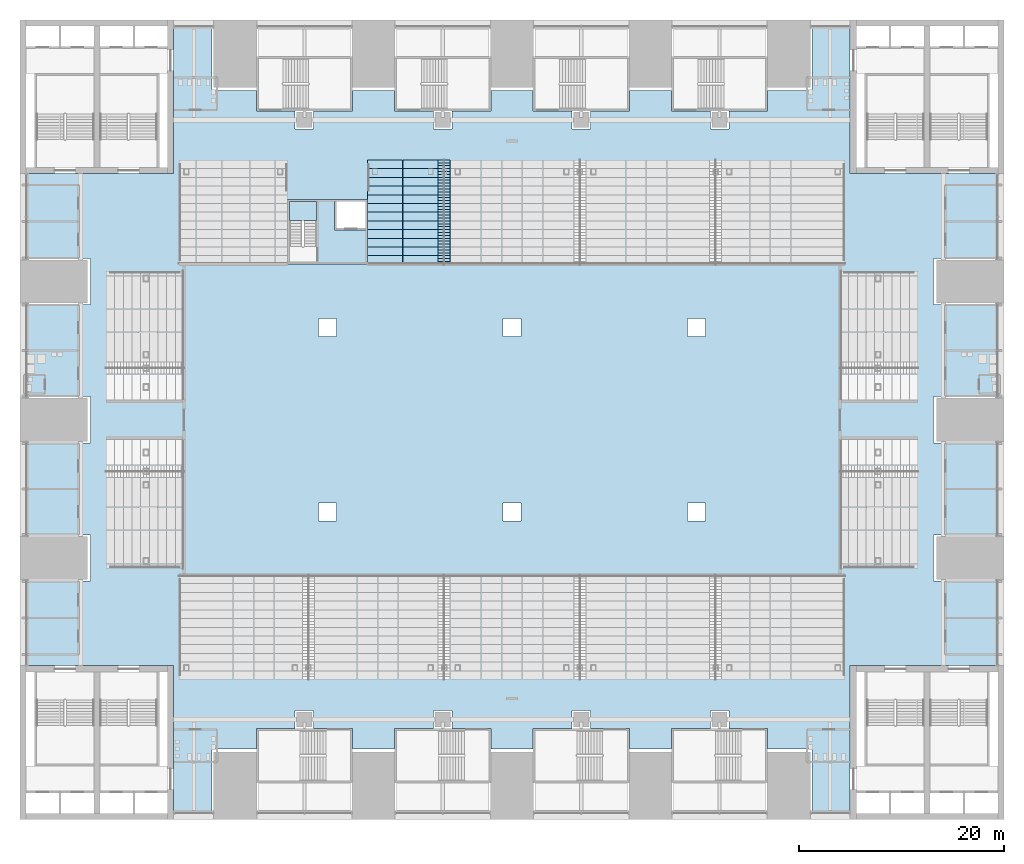
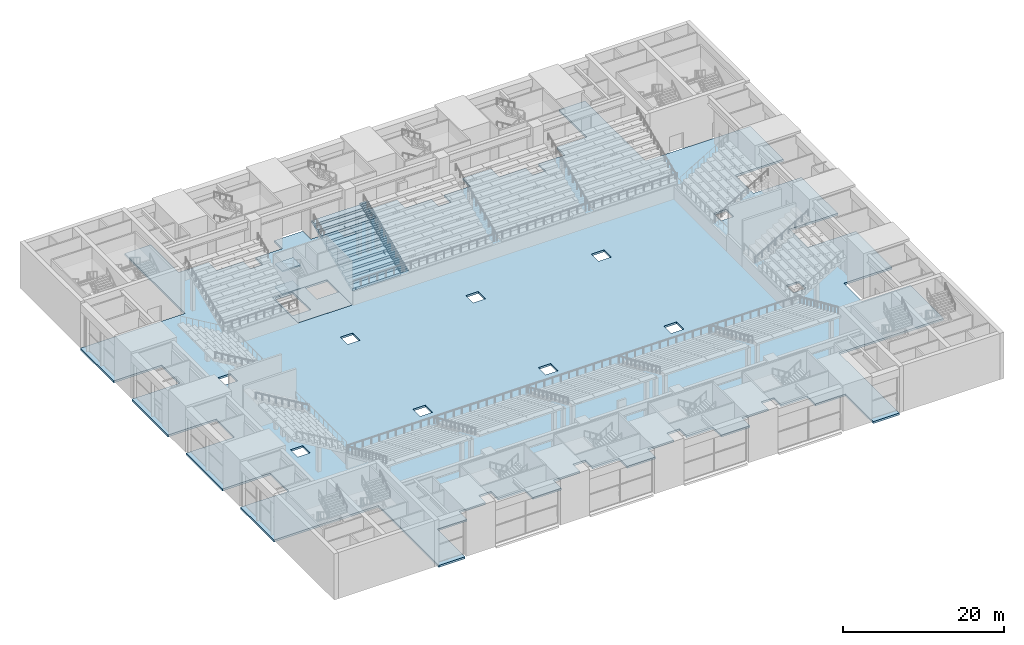
# One storey, part 24 of 62: 6 slabs, 1 element without a shape of its own.
"""IFC4 building model written with IfcOpenShell, lengths in metres."""

from ifc_helpers import new_model, si_unit, direction, frame, origin, place, context, subcontext, project, spatial, polyline, outline, extrude, material, layer, layer_set, type_object, element, aggregate, save


model = new_model("IFC4")

# Units and contexts
model_context = context("Model", 3, precision=1e-05, world=origin(), true_north=direction((0.0, 1.0)))
body_context = subcontext(model_context, "Body", "Model", "MODEL_VIEW")
ifc_project = project(units=[si_unit("LENGTHUNIT", "METRE"), si_unit("AREAUNIT", "SQUARE_METRE"), si_unit("VOLUMEUNIT", "CUBIC_METRE"), si_unit("PLANEANGLEUNIT", "RADIAN"), si_unit("MASSUNIT", "GRAM", prefix="KILO")], contexts=[model_context])

# Site, building, storey
site_placement = place(None, origin())
site = spatial("IfcSite", under=ifc_project, at=site_placement, CompositionType="ELEMENT")
building_placement = place(site_placement, origin())
building = spatial("IfcBuilding", under=site, at=building_placement, Name="Corbelhall Arena Tower", CompositionType="ELEMENT")
storey_placement = place(building_placement, frame((0.0, 0.0, 12.0)))
storey = spatial("IfcBuildingStorey", under=building, at=storey_placement, Name="L01", CompositionType="ELEMENT", Elevation=12.0)

# Slabs
ifc_material_1 = material(Name="Precast concrete C40/50", Category="concrete")
ifc_layer_1 = layer(ifc_material_1, 0.25)
ifc_layer_set_1 = layer_set([ifc_layer_1], Name="AISLE STEPS (BC 1029)")
slab_type_1 = type_object("IfcSlabType", Name="AISLE STEPS (BC 1029)", PredefinedType="FLOOR", material=ifc_layer_set_1)
slab_1_placement = place(storey_placement, frame((-6.6201171875, 15.14990234375, 2.375), z_axis=(0.0, 0.0, 1.0), x_axis=(0.0, 1.0, 0.0)))
element("IfcSlab", 1, at=slab_1_placement, inside=storey, type_object=slab_type_1, Name="Aisle steps LN-AIS2", PredefinedType="FLOOR", context=body_context, shape_type="SweptSolid", body=[
    extrude(outline(polyline([(0.0, 0.0), (0.0, 0.125), (0.283447265625, 0.125), (0.283447265625, 0.25), (0.566650390625, 0.25), (0.566650390625, 0.375), (0.85009765625, 0.375), (0.85009765625, 0.5), (1.13330078125, 0.5), (1.13330078125, 0.625), (1.416748046875, 0.625), (1.416748046875, 0.75), (1.699951171875, 0.75), (1.699951171875, 0.875), (1.9833984375, 0.875), (1.9833984375, 1.0), (2.2666015625, 1.0), (2.2666015625, 1.125), (2.550048828125, 1.125), (2.550048828125, 1.25), (2.833251953125, 1.25), (2.833251953125, 1.375), (3.11669921875, 1.375), (3.11669921875, 1.5), (3.39990234375, 1.5), (3.39990234375, 1.625), (3.683349609375, 1.625), (3.683349609375, 1.75), (3.966552734375, 1.75), (3.966552734375, 1.875), (4.25, 1.875), (4.25, 2.0), (4.533447265625, 2.0), (4.533447265625, 2.125), (4.816650390625, 2.125), (4.816650390625, 2.25), (5.10009765625, 2.25), (5.10009765625, 2.375), (5.38330078125, 2.375), (5.38330078125, 2.5), (5.666748046875, 2.5), (5.666748046875, 2.625), (5.949951171875, 2.625), (5.949951171875, 2.75), (6.2333984375, 2.75), (6.2333984375, 2.875), (6.5166015625, 2.875), (6.5166015625, 3.0), (6.800048828125, 3.0), (6.800048828125, 3.125), (7.083251953125, 3.125), (7.083251953125, 3.25), (7.36669921875, 3.25), (7.36669921875, 3.375), (7.64990234375, 3.375), (7.64990234375, 3.5), (7.933349609375, 3.5), (7.933349609375, 3.625), (8.216552734375, 3.625), (8.216552734375, 3.75), (8.5, 3.75), (8.5, 3.875), (8.783203125, 3.875), (8.783203125, 4.0), (9.066650390625, 4.0), (9.066650390625, 4.125), (9.35009765625, 4.125), (9.35009765625, 4.25), (9.63330078125, 4.25), (9.63330078125, 4.375), (9.916748046875, 4.375), (9.916748046875, 4.5), (10.199951171875, 4.5), (10.199951171875, 4.625), (10.199951171875, 3.976806640625), (1.18603515625, 0.0), (0.0, 0.0)])), frame((0.0, 0.580078125, 0.0), z_axis=(0.0, -1.0, 0.0), x_axis=(1.0, 0.0, 0.0)), (0.0, 0.0, 1.0), 1.159912109375),
])
ifc_layer_2 = layer(ifc_material_1, 0.25)
ifc_layer_set_2 = layer_set([ifc_layer_2], Name="AR-TIER-RAKED")
slab_type_2 = type_object("IfcSlabType", Name="AR-TIER-RAKED", PredefinedType="FLOOR", material=ifc_layer_set_2)
slab_2_placement = place(storey_placement, frame((-10.659912109375, 15.14990234375, 2.125), z_axis=(0.0, 0.0, 1.0), x_axis=(0.0, 1.0, 0.0)))
element("IfcSlab", 2, at=slab_2_placement, inside=storey, type_object=slab_type_2, Name="Tier section LNBR", PredefinedType="FLOOR", context=body_context, shape_type="SweptSolid", body=[
    extrude(outline(polyline([(0.0, 0.0), (0.0, 0.375), (0.85009765625, 0.375), (0.85009765625, 0.75), (1.699951171875, 0.75), (1.699951171875, 1.125), (2.550048828125, 1.125), (2.550048828125, 1.5), (3.39990234375, 1.5), (3.39990234375, 1.875), (4.25, 1.875), (4.25, 2.25), (5.10009765625, 2.25), (5.10009765625, 2.625), (5.949951171875, 2.625), (5.949951171875, 3.0), (6.800048828125, 3.0), (6.800048828125, 3.375), (7.64990234375, 3.375), (7.64990234375, 3.75), (8.5, 3.75), (8.5, 4.125), (9.35009765625, 4.125), (9.35009765625, 4.5), (10.199951171875, 4.5), (10.199951171875, 4.875), (10.199951171875, 4.226806640625), (0.619384765625, 0.0), (0.0, 0.0)])), frame((0.0, 3.43994140625, 0.0), z_axis=(0.0, -1.0, 0.0), x_axis=(1.0, 0.0, 0.0)), (0.0, 0.0, 1.0), 0.449951171875),
    extrude(outline(polyline([(0.0, 0.0), (0.0, 0.375), (0.85009765625, 0.375), (0.85009765625, 0.75), (1.699951171875, 0.75), (1.699951171875, 1.125), (2.550048828125, 1.125), (2.550048828125, 1.5), (3.39990234375, 1.5), (3.39990234375, 1.875), (4.25, 1.875), (4.25, 2.25), (5.10009765625, 2.25), (5.10009765625, 2.625), (5.949951171875, 2.625), (5.949951171875, 3.0), (6.800048828125, 3.0), (6.800048828125, 3.375), (7.64990234375, 3.375), (7.64990234375, 3.75), (8.5, 3.75), (8.5, 4.125), (9.35009765625, 4.125), (9.35009765625, 4.5), (10.199951171875, 4.5), (10.199951171875, 4.875), (10.199951171875, 4.226806640625), (0.619384765625, 0.0), (0.0, 0.0)])), frame((0.0, 2.98583984375, 0.0), z_axis=(0.0, -1.0, 0.0), x_axis=(1.0, 0.0, 0.0)), (0.0, 0.0, 1.0), 2.98388671875),
    extrude(outline(polyline([(0.0, 0.0), (0.0, 0.375), (0.85009765625, 0.375), (0.85009765625, 0.75), (1.699951171875, 0.75), (1.699951171875, 1.125), (2.550048828125, 1.125), (2.550048828125, 1.5), (3.39990234375, 1.5), (3.39990234375, 1.875), (4.25, 1.875), (4.25, 2.25), (5.10009765625, 2.25), (5.10009765625, 2.625), (5.949951171875, 2.625), (5.949951171875, 3.0), (6.800048828125, 3.0), (6.800048828125, 3.375), (7.64990234375, 3.375), (7.64990234375, 3.75), (8.5, 3.75), (8.5, 4.125), (9.35009765625, 4.125), (9.35009765625, 4.5), (10.199951171875, 4.5), (10.199951171875, 4.875), (10.199951171875, 4.226806640625), (0.619384765625, 0.0), (0.0, 0.0)])), frame((0.0, -0.001953125, 0.0), z_axis=(0.0, -1.0, 0.0), x_axis=(1.0, 0.0, 0.0)), (0.0, 0.0, 1.0), 2.98388671875),
    extrude(outline(polyline([(0.0, 0.0), (0.0, 0.375), (0.85009765625, 0.375), (0.85009765625, 0.75), (1.699951171875, 0.75), (1.699951171875, 1.125), (2.550048828125, 1.125), (2.550048828125, 1.5), (3.39990234375, 1.5), (3.39990234375, 1.875), (4.25, 1.875), (4.25, 2.25), (5.10009765625, 2.25), (5.10009765625, 2.625), (5.949951171875, 2.625), (5.949951171875, 3.0), (6.800048828125, 3.0), (6.800048828125, 3.375), (7.64990234375, 3.375), (7.64990234375, 3.75), (8.5, 3.75), (8.5, 4.125), (9.35009765625, 4.125), (9.35009765625, 4.5), (10.199951171875, 4.5), (10.199951171875, 4.875), (10.199951171875, 4.226806640625), (0.619384765625, 0.0), (0.0, 0.0)])), frame((0.0, -2.989990234375, 0.0), z_axis=(0.0, -1.0, 0.0), x_axis=(1.0, 0.0, 0.0)), (0.0, 0.0, 1.0), 0.449951171875),
])
ifc_material_2 = material(Name="Concrete C40/50", Category="concrete")
ifc_layer_3 = layer(ifc_material_2, 0.300048828125)
ifc_layer_set_3 = layer_set([ifc_layer_3], Name="IN-SL-EAR")
slab_type_3 = type_object("IfcSlabType", Name="IN-SL-EAR", PredefinedType="FLOOR", material=ifc_layer_set_3)
slab_3_placement = place(storey_placement, frame((0.0, 0.0, -0.300048828125)))
element("IfcSlab", 3, at=slab_3_placement, inside=storey, type_object=slab_type_3, Name="Fire service turret floor", PredefinedType="FLOOR", context=body_context, shape_type="SweptSolid", body=[
    extrude(outline(polyline([(-21.89990234375, 15.199951171875), (-14.10009765625, 15.199951171875), (-14.10009765625, 18.5), (-17.300048828125, 18.5), (-17.300048828125, 21.5), (-21.89990234375, 21.5), (-21.89990234375, 15.199951171875)]), holes=[polyline([(-19.094970703125, 21.300048828125), (-21.695068359375, 21.300048828125), (-21.695068359375, 16.903076171875), (-19.094970703125, 16.903076171875), (-19.094970703125, 21.300048828125)])]), origin(), (0.0, 0.0, 1.0), 0.300048828125),
])

# Stair, slabs
stair_type = type_object("IfcStairType", Name="IN-ST-TOWER", PredefinedType="HALF_TURN_STAIR", material=ifc_material_2)
stair_placement = place(storey_placement, origin())
stair = element("IfcStair", 4, at=stair_placement, inside=storey, type_object=stair_type, Name="L01 Exit stair AS17", PredefinedType="HALF_TURN_STAIR")
ifc_layer_4 = layer(ifc_material_2, 0.199951171875)
ifc_layer_set_4 = layer_set([ifc_layer_4], Name="IN-SL-LANDING")
slab_type_4 = type_object("IfcSlabType", Name="IN-SL-LANDING", PredefinedType="LANDING", material=ifc_layer_set_4)
slab_4_placement = place(storey_placement, frame((0.0, 0.0, 1.550048828125)))
slab_4 = element("IfcSlab", 5, at=slab_4_placement, type_object=slab_type_4, Name="AS17 landing 1", PredefinedType="LANDING", context=body_context, shape_type="SweptSolid", body=[
    extrude(outline(polyline([(-19.094970703125, 19.419921875), (-19.094970703125, 21.300048828125), (-21.695068359375, 21.300048828125), (-21.695068359375, 19.419921875), (-19.094970703125, 19.419921875)])), origin(), (0.0, 0.0, 1.0), 0.199951171875),
])
slab_5_placement = place(storey_placement, frame((0.0, 0.0, 5.050048828125)))
slab_5 = element("IfcSlab", 6, at=slab_5_placement, type_object=slab_type_4, Name="AS17 landing 3", PredefinedType="LANDING", context=body_context, shape_type="SweptSolid", body=[
    extrude(outline(polyline([(-19.094970703125, 19.419921875), (-19.094970703125, 21.300048828125), (-21.695068359375, 21.300048828125), (-21.695068359375, 19.419921875), (-19.094970703125, 19.419921875)])), origin(), (0.0, 0.0, 1.0), 0.199951171875),
])
aggregate(stair, [slab_4, slab_5])

# Slab
ifc_material_3 = material(Name="Concrete C32/40", Category="concrete")
ifc_layer_5 = layer(ifc_material_3, 0.300048828125)
ifc_layer_set_5 = layer_set([ifc_layer_5], Name="PO-FLOOR-SLAB")
slab_type_5 = type_object("IfcSlabType", Name="PO-FLOOR-SLAB", PredefinedType="FLOOR", material=ifc_layer_set_5)
slab_6_placement = place(storey_placement, frame((0.0, 0.0, -0.300048828125)))
element("IfcSlab", 7, at=slab_6_placement, inside=storey, type_object=slab_type_5, Name="FLOOR SLAB L01 5", PredefinedType="FLOOR", context=body_context, shape_type="SweptSolid", body=[
    extrude(outline(polyline([(48.0, -24.0), (33.0, -24.0), (33.0, -39.0), (29.25, -39.0), (29.25, -32.10009765625), (24.949951171875, -32.10009765625), (24.949951171875, -30.10009765625), (21.14990234375, -30.10009765625), (21.14990234375, -28.35009765625), (19.35009765625, -28.35009765625), (19.35009765625, -30.10009765625), (15.550048828125, -30.10009765625), (15.550048828125, -32.10009765625), (11.449951171875, -32.10009765625), (11.449951171875, -30.10009765625), (7.64990234375, -30.10009765625), (7.64990234375, -28.35009765625), (5.85009765625, -28.35009765625), (5.85009765625, -30.10009765625), (2.050048828125, -30.10009765625), (2.050048828125, -32.10009765625), (-2.050048828125, -32.10009765625), (-2.050048828125, -30.10009765625), (-5.85009765625, -30.10009765625), (-5.85009765625, -28.35009765625), (-7.64990234375, -28.35009765625), (-7.64990234375, -30.10009765625), (-11.449951171875, -30.10009765625), (-11.449951171875, -32.10009765625), (-15.550048828125, -32.10009765625), (-15.550048828125, -30.10009765625), (-19.35009765625, -30.10009765625), (-19.35009765625, -28.35009765625), (-21.14990234375, -28.35009765625), (-21.14990234375, -30.10009765625), (-24.949951171875, -30.10009765625), (-24.949951171875, -32.10009765625), (-29.25, -32.10009765625), (-29.25, -39.0), (-33.0, -39.0), (-33.0, -24.0), (-48.0, -24.0), (-48.0, -15.75), (-41.10009765625, -15.75), (-41.10009765625, -11.25), (-48.0, -11.25), (-48.0, -2.25), (-41.10009765625, -2.25), (-41.10009765625, 2.25), (-48.0, 2.25), (-48.0, 11.25), (-41.10009765625, 11.25), (-41.10009765625, 15.75), (-48.0, 15.75), (-48.0, 24.0), (-33.0, 24.0), (-33.0, 39.0), (-29.25, 39.0), (-29.25, 32.10009765625), (-24.949951171875, 32.10009765625), (-24.949951171875, 30.10009765625), (-21.14990234375, 30.10009765625), (-21.14990234375, 28.35009765625), (-19.35009765625, 28.35009765625), (-19.35009765625, 30.10009765625), (-15.550048828125, 30.10009765625), (-15.550048828125, 32.10009765625), (-11.449951171875, 32.10009765625), (-11.449951171875, 30.10009765625), (-7.64990234375, 30.10009765625), (-7.64990234375, 28.35009765625), (-5.85009765625, 28.35009765625), (-5.85009765625, 30.10009765625), (-2.050048828125, 30.10009765625), (-2.050048828125, 32.10009765625), (2.050048828125, 32.10009765625), (2.050048828125, 30.10009765625), (5.85009765625, 30.10009765625), (5.85009765625, 28.35009765625), (7.64990234375, 28.35009765625), (7.64990234375, 30.10009765625), (11.449951171875, 30.10009765625), (11.449951171875, 32.10009765625), (15.550048828125, 32.10009765625), (15.550048828125, 30.10009765625), (19.35009765625, 30.10009765625), (19.35009765625, 28.35009765625), (21.14990234375, 28.35009765625), (21.14990234375, 30.10009765625), (24.949951171875, 30.10009765625), (24.949951171875, 32.10009765625), (29.25, 32.10009765625), (29.25, 39.0), (33.0, 39.0), (33.0, 24.0), (48.0, 24.0), (48.0, 15.75), (41.10009765625, 15.75), (41.10009765625, 11.25), (48.0, 11.25), (48.0, 2.25), (41.10009765625, 2.25), (41.10009765625, -2.25), (48.0, -2.25), (48.0, -11.25), (41.10009765625, -11.25), (41.10009765625, -15.75), (48.0, -15.75), (48.0, -24.0)]), holes=[polyline([(-34.64990234375, -9.89990234375), (-34.64990234375, -8.10009765625), (-36.449951171875, -8.10009765625), (-36.449951171875, -9.89990234375), (-34.64990234375, -9.89990234375)]), polyline([(-18.89990234375, -9.89990234375), (-17.10009765625, -9.89990234375), (-17.10009765625, -8.10009765625), (-18.89990234375, -8.10009765625), (-18.89990234375, -9.89990234375)]), polyline([(-34.64990234375, 8.10009765625), (-34.64990234375, 9.89990234375), (-36.449951171875, 9.89990234375), (-36.449951171875, 8.10009765625), (-34.64990234375, 8.10009765625)]), polyline([(-18.89990234375, 8.10009765625), (-17.10009765625, 8.10009765625), (-17.10009765625, 9.89990234375), (-18.89990234375, 9.89990234375), (-18.89990234375, 8.10009765625)]), polyline([(-14.10009765625, 15.199951171875), (-14.10009765625, 21.5), (-21.89990234375, 21.5), (-21.89990234375, 15.199951171875), (-14.10009765625, 15.199951171875)]), polyline([(0.89990234375, -9.89990234375), (0.89990234375, -8.10009765625), (-0.89990234375, -8.10009765625), (-0.89990234375, -9.89990234375), (0.89990234375, -9.89990234375)]), polyline([(-0.89990234375, 8.10009765625), (0.89990234375, 8.10009765625), (0.89990234375, 9.89990234375), (-0.89990234375, 9.89990234375), (-0.89990234375, 8.10009765625)]), polyline([(17.10009765625, -9.89990234375), (18.89990234375, -9.89990234375), (18.89990234375, -8.10009765625), (17.10009765625, -8.10009765625), (17.10009765625, -9.89990234375)]), polyline([(36.449951171875, -9.89990234375), (36.449951171875, -8.10009765625), (34.64990234375, -8.10009765625), (34.64990234375, -9.89990234375), (36.449951171875, -9.89990234375)]), polyline([(17.10009765625, 8.10009765625), (18.89990234375, 8.10009765625), (18.89990234375, 9.89990234375), (17.10009765625, 9.89990234375), (17.10009765625, 8.10009765625)]), polyline([(36.449951171875, 8.10009765625), (36.449951171875, 9.89990234375), (34.64990234375, 9.89990234375), (34.64990234375, 8.10009765625), (36.449951171875, 8.10009765625)])]), origin(), (0.0, 0.0, 1.0), 0.300048828125),
])

save(model, "model.ifc")
